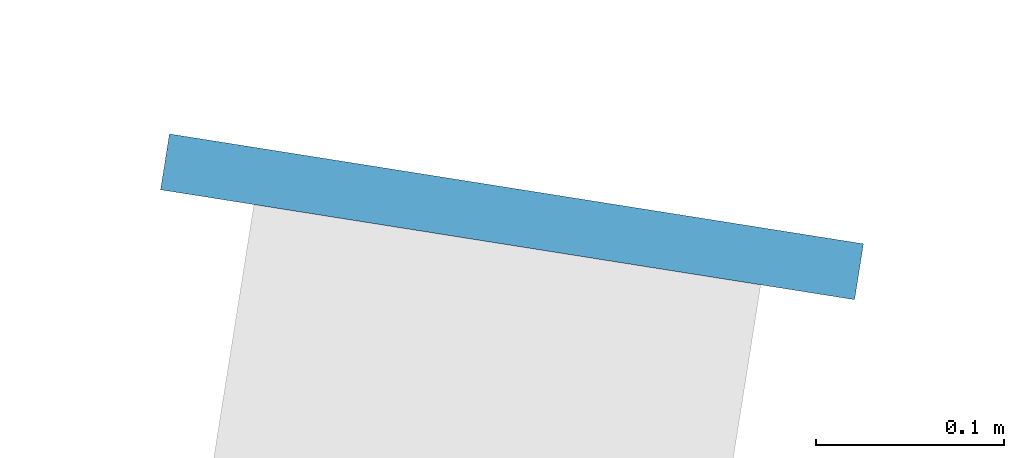
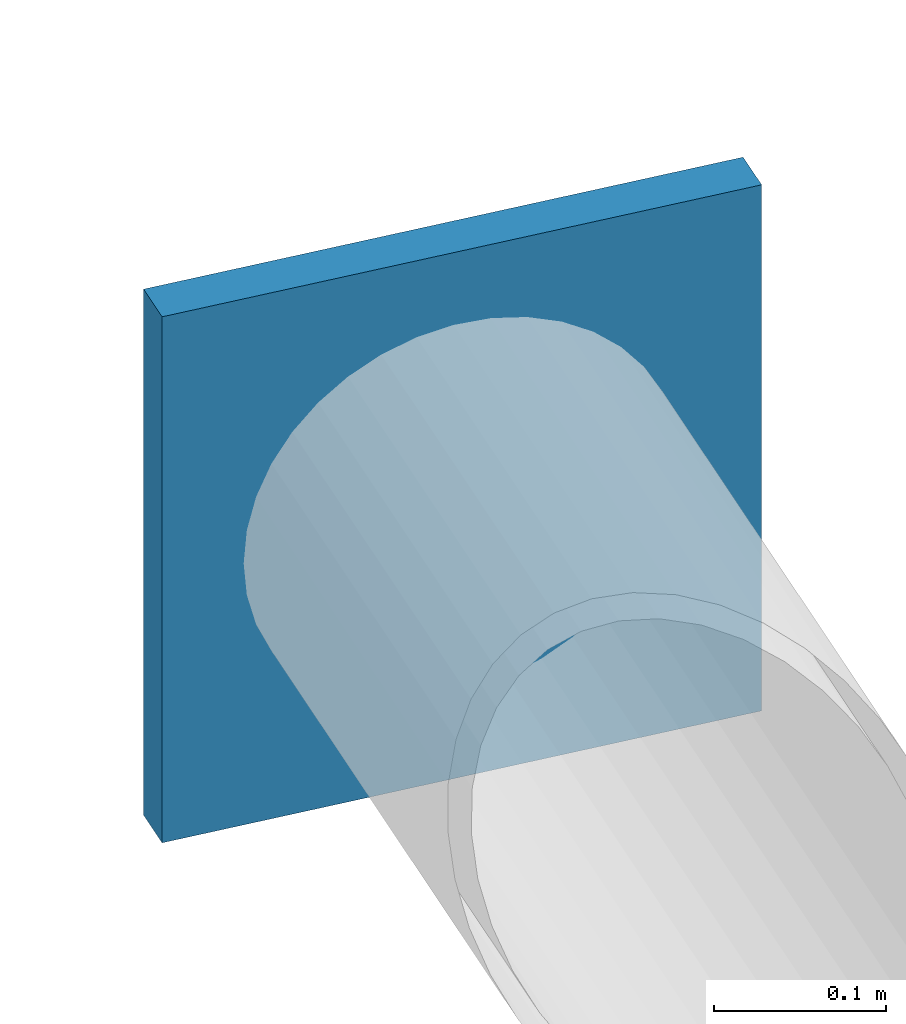
# One storey, part 18 of 20: 1 discrete accessory.
"""IFC4 building model written with IfcOpenShell, lengths in metres."""

import ifcopenshell
import ifcopenshell.guid

model = None  # the IFC model being written
_history = None  # IfcOwnerHistory: only IFC2X3 demands one
_inside = {}  # id of a spatial element -> (the spatial element, [elements in it])
_under = {}  # id of a project, library or spatial element -> (it, [spatial elements below it])
_declared = {}  # id of a project -> (the project, [libraries it declares])
_typed = {}  # id of a type object -> (the type object, [elements of that type])
_made_of = {}  # id of a material, layer set ... -> (it, [elements and type objects made of it])


def new_model(schema):
    """Start an empty IFC model of exactly this schema.

    Asked for "IFC4X3", IfcOpenShell would pick the latest addendum, in which some entities
    have other attributes; the version numbers below select the first issue.
    IFC2X3 requires an IfcOwnerHistory on every rooted entity: one is made here for all.
    """
    global model, _history
    if schema == "IFC4X3":
        model = ifcopenshell.file(schema_version=(4, 3, 0, 0))
    else:
        model = ifcopenshell.file(schema=schema)
    _inside.clear()
    _under.clear()
    _declared.clear()
    _typed.clear()
    _made_of.clear()
    _history = None
    if model.schema == "IFC2X3":
        org = make("IfcOrganization", Name="unknown")
        user = make(
            "IfcPersonAndOrganization",
            ThePerson=make("IfcPerson", FamilyName="unknown"),
            TheOrganization=org,
        )
        app = make(
            "IfcApplication",
            ApplicationDeveloper=org,
            Version="unknown",
            ApplicationFullName="unknown",
            ApplicationIdentifier="unknown",
        )
        _history = make(
            "IfcOwnerHistory",
            OwningUser=user,
            OwningApplication=app,
            ChangeAction="ADDED",
            CreationDate=0,
        )
    return model


def make(cls, **values):
    """One entity of the class cls with the attributes given. An attribute that is None is left unset."""
    return model.create_entity(
        cls, **{name: value for name, value in values.items() if value is not None}
    )


def rooted(cls, **values):
    """An entity with a GlobalId (a new one), such as an element, a storey or a relation."""
    return make(cls, GlobalId=ifcopenshell.guid.new(), OwnerHistory=_history, **values)


def si_unit(unit_type, name, prefix=None):
    """IfcSIUnit, for example si_unit("LENGTHUNIT", "METRE", prefix="MILLI")."""
    return make("IfcSIUnit", UnitType=unit_type, Prefix=prefix, Name=name)


def assignment(units):
    """IfcUnitAssignment: the units of a project."""
    return None if units is None else make("IfcUnitAssignment", Units=units)


def point(xyz):
    """IfcCartesianPoint."""
    return None if xyz is None else make("IfcCartesianPoint", Coordinates=xyz)


def direction(xyz):
    """IfcDirection."""
    return None if xyz is None else make("IfcDirection", DirectionRatios=xyz)


def frame(location, z_axis=None, x_axis=None):
    """IfcAxis2Placement3D, a coordinate frame: its origin and axes. An axis left out is left unset."""
    return make(
        "IfcAxis2Placement3D",
        Location=point(location),
        Axis=direction(z_axis),
        RefDirection=direction(x_axis),
    )


def frame_2d(location, x_axis=None):
    """IfcAxis2Placement2D, a coordinate frame in the plane: its origin and x axis."""
    return make(
        "IfcAxis2Placement2D", Location=point(location), RefDirection=direction(x_axis)
    )


def origin():
    """The frame at (0, 0, 0) with its axes left unset."""
    return frame((0.0, 0.0, 0.0))


def origin_2d():
    """The frame at (0, 0) in the plane with its x axis left unset."""
    return frame_2d((0.0, 0.0))


def place(relative_to, where):
    """IfcLocalPlacement: puts the frame where relative to a parent placement (None: the world)."""
    return make(
        "IfcLocalPlacement", PlacementRelTo=relative_to, RelativePlacement=where
    )


def context(
    kind, dimensions, precision=None, world=None, true_north=None, identifier=None
):
    """IfcGeometricRepresentationContext, for example the 3D "Model" context."""
    return make(
        "IfcGeometricRepresentationContext",
        ContextIdentifier=identifier,
        ContextType=kind,
        CoordinateSpaceDimension=dimensions,
        Precision=precision,
        WorldCoordinateSystem=world,
        TrueNorth=true_north,
    )


def subcontext(parent, identifier, kind, view, scale=None):
    """IfcGeometricRepresentationSubContext, for example "Body" below "Model"."""
    return make(
        "IfcGeometricRepresentationSubContext",
        ContextIdentifier=identifier,
        ContextType=kind,
        ParentContext=parent,
        TargetScale=scale,
        TargetView=view,
    )


def project(units=None, contexts=None):
    """IfcProject with its units and contexts."""
    return rooted(
        "IfcProject",
        Name="project",
        RepresentationContexts=contexts,
        UnitsInContext=assignment(units),
    )


def spatial(cls, under=None, at=None, **own):
    """A site, building, storey or space (cls), placed at a placement, below another one or the project."""
    s = rooted(cls, ObjectPlacement=at, **own)
    if under is not None:
        _under.setdefault(under.id(), (under, []))[1].append(s)
    return s


def profile(cls, at=None, kind="AREA", **sizes):
    """A parametric profile (cls). Its sizes go by their IFC names, for example OverallWidth=200.0."""
    return make(cls, ProfileType=kind, Position=at, **sizes)


def rectangle(**sizes):
    """IfcRectangleProfileDef."""
    return profile("IfcRectangleProfileDef", **sizes)


def extrude(swept, where, along, depth):
    """IfcExtrudedAreaSolid: the profile swept, set in the frame where, extruded along a direction by depth."""
    return make(
        "IfcExtrudedAreaSolid",
        SweptArea=swept,
        Position=where,
        ExtrudedDirection=direction(along),
        Depth=depth,
    )


def shape(context_of_items, identifier, shape_type, items):
    """IfcShapeRepresentation: the items that make up one representation, for example the "Body"."""
    return make(
        "IfcShapeRepresentation",
        ContextOfItems=context_of_items,
        RepresentationIdentifier=identifier,
        RepresentationType=shape_type,
        Items=items,
    )


def material(Name=None, Category=None):
    """IfcMaterial."""
    return make("IfcMaterial", Name=Name, Category=Category)


def made_of(thing, what):
    """Note that an element or type object is made of a material, layer set ...; save() writes the relation."""
    if what is not None:
        _made_of.setdefault(what.id(), (what, []))[1].append(thing)
    return thing


def element(
    cls,
    number,
    at=None,
    inside=None,
    cuts=None,
    type_object=None,
    material=None,
    context=None,
    identifier="Body",
    shape_type=None,
    held_by="IfcProductDefinitionShape",
    body=None,
    shapes=None,
    **own,
):
    """One element of the class cls, such as IfcWall. Its Tag is "e" and its number.

    at: its placement. inside: the storey or other place that contains it. cuts: it is an
    opening in that element (IfcRelVoidsElement). A single representation is given by context,
    identifier, shape_type and body (its items); several are given by shapes. held_by: the class
    of the entity that holds the representations. save() writes the other relations.
    """
    e = rooted(cls, Tag="e%d" % number, ObjectPlacement=at, **own)
    if body is not None:
        shapes = [shape(context, identifier, shape_type, body)]
    if shapes is not None:
        e.Representation = make(held_by, Representations=shapes)
    if inside is not None:
        _inside.setdefault(inside.id(), (inside, []))[1].append(e)
    if cuts is not None:
        rooted(
            "IfcRelVoidsElement", RelatingBuildingElement=cuts, RelatedOpeningElement=e
        )
    if type_object is not None:
        _typed.setdefault(type_object.id(), (type_object, []))[1].append(e)
    return made_of(e, material)


def aggregate(whole, parts):
    """IfcRelAggregates: a whole, such as a stair, and the parts it consists of."""
    return rooted("IfcRelAggregates", RelatingObject=whole, RelatedObjects=parts)


def save(model, path):
    """Write the relations noted so far, then the file.

    IfcRelAggregates (storeys below a building ...), IfcRelContainedInSpatialStructure (elements
    in a storey), IfcRelDefinesByType, IfcRelAssociatesMaterial and IfcRelDeclares: one each for
    every whole, place, type object, material and project.
    """
    for whole, parts in _under.values():
        aggregate(whole, parts)
    for where, things in _inside.values():
        rooted(
            "IfcRelContainedInSpatialStructure",
            RelatedElements=things,
            RelatingStructure=where,
        )
    for kind, things in _typed.values():
        rooted("IfcRelDefinesByType", RelatedObjects=things, RelatingType=kind)
    for what, things in _made_of.values():
        rooted("IfcRelAssociatesMaterial", RelatedObjects=things, RelatingMaterial=what)
    for by, libraries in _declared.values():
        rooted("IfcRelDeclares", RelatingContext=by, RelatedDefinitions=libraries)
    model.write(path)


model = new_model("IFC4")

# Units and contexts
model_context = context("Model", 3, precision=1e-05, world=origin(), true_north=direction((0.0, 1.0)))
body_context = subcontext(model_context, "Body", "Model", "MODEL_VIEW")
ifc_project = project(units=[si_unit("LENGTHUNIT", "METRE"), si_unit("AREAUNIT", "SQUARE_METRE"), si_unit("VOLUMEUNIT", "CUBIC_METRE"), si_unit("PLANEANGLEUNIT", "RADIAN"), si_unit("MASSUNIT", "GRAM", prefix="KILO")], contexts=[model_context])

# Site, building, storey
site_placement = place(None, origin())
site = spatial("IfcSite", under=ifc_project, at=site_placement, CompositionType="ELEMENT")
building_placement = place(site_placement, origin())
building = spatial("IfcBuilding", under=site, at=building_placement, Name="Entoto Ring Tower", CompositionType="ELEMENT")
storey_placement = place(building_placement, frame((0.0, 0.0, 330.0)))
storey = spatial("IfcBuildingStorey", under=building, at=storey_placement, Name="L76", CompositionType="ELEMENT", Elevation=330.0)

# Discrete accessory
ifc_material = material(Name="Steel S355", Category="steel")
discrete_accessory_placement = place(storey_placement, frame((95.10205078125, 112.21337890625, 5.52685546875), z_axis=(0.0, 0.0, 1.0), x_axis=(0.15643446504, 0.987688340595, 0.0)))
element("IfcDiscreteAccessory", 1, at=discrete_accessory_placement, inside=storey, material=ifc_material, Name="Node strut end plate DS2 ring 25 04", PredefinedType="BRACKET", context=body_context, shape_type="SweptSolid", body=[
    extrude(rectangle(XDim=0.030029296875, YDim=0.373046875, at=origin_2d()), origin(), (0.0, 0.0, 1.0), 0.373046875),
])

save(model, "model.ifc")
